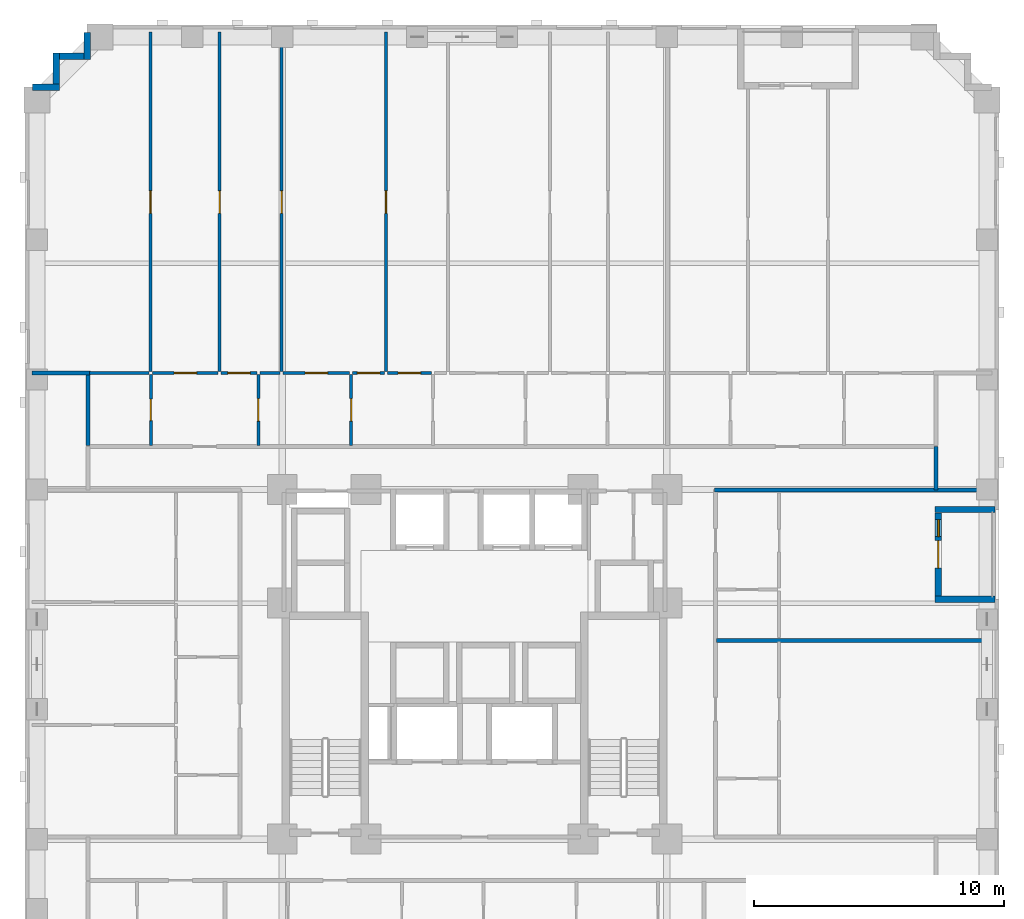
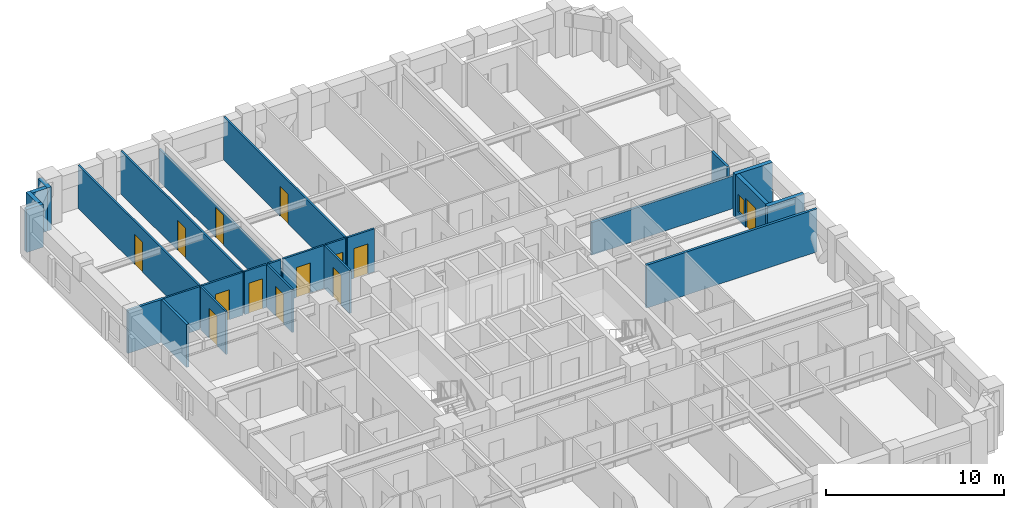
# One storey, part 7 of 14: 26 walls, 13 doors, 1 window, 14 openings.
"""IFC4 building model written with IfcOpenShell, lengths in metres."""

from ifc_helpers import new_model, si_unit, derived_unit, direction, frame, frame_2d, origin, place, context, subcontext, project, spatial, rectangle, extrude, material, layer, layer_set, type_object, element, fill, save


model = new_model("IFC4")

# Units and contexts
model_context = context("Model", 3, precision=1e-05, world=origin(), true_north=direction((0.0, 1.0)))
body_context = subcontext(model_context, "Body", "Model", "MODEL_VIEW")
ifc_project = project(units=[si_unit("LENGTHUNIT", "METRE"), si_unit("AREAUNIT", "SQUARE_METRE"), si_unit("VOLUMEUNIT", "CUBIC_METRE"), si_unit("PLANEANGLEUNIT", "RADIAN"), si_unit("MASSUNIT", "GRAM", prefix="KILO"), derived_unit("THERMALTRANSMITTANCEUNIT", [(si_unit("MASSUNIT", "GRAM", prefix="KILO"), 1), (si_unit("TIMEUNIT", "SECOND"), -3), (si_unit("THERMODYNAMICTEMPERATUREUNIT", "KELVIN"), -1)])], contexts=[model_context])

# Site, building, storey
site_placement = place(None, origin())
site = spatial("IfcSite", under=ifc_project, at=site_placement, CompositionType="ELEMENT")
building_placement = place(site_placement, origin())
building = spatial("IfcBuilding", under=site, at=building_placement, Name="Korrvale Station Residences", CompositionType="ELEMENT")
storey_placement = place(building_placement, frame((0.0, 0.0, 51.39990234375)))
storey = spatial("IfcBuildingStorey", under=building, at=storey_placement, Name="L13", CompositionType="ELEMENT", Elevation=51.39990234375)

# Wall
ifc_material_1 = material(Name="Precast concrete C45/55", Category="concrete")
ifc_layer_1 = layer(ifc_material_1, 0.260009765625, Name="Precast concrete C45/55")
ifc_layer_set_1 = layer_set([ifc_layer_1], Name="Precast concrete C45/55")
wall_type_1 = type_object("IfcWallType", Name="WAL-EXT-LOG260", PredefinedType="SOLIDWALL", material=ifc_layer_set_1)
wall_1_placement = place(storey_placement, frame((46.340087890625, 28.199951171875, 0.0), z_axis=(0.0, 0.0, 1.0), x_axis=(-1.0, 0.0, 0.0)))
element("IfcWall", 1, at=wall_1_placement, inside=storey, type_object=wall_type_1, Name="L13 Recessed Loggia Wall BAL-L13-E1-L", PredefinedType="SOLIDWALL", context=body_context, shape_type="SweptSolid", body=[
    extrude(rectangle(XDim=2.400146484375, YDim=0.260009765625, at=frame_2d((1.2001953125, 0.0))), origin(), (0.0, 0.0, 1.0), 2.940185546875),
])

# Wall, openings, door, window
wall_2_placement = place(storey_placement, frame((44.070068359375, 28.06591796875, 0.0), z_axis=(0.0, 0.0, 1.0), x_axis=(0.0, -1.0, 0.0)))
wall_2 = element("IfcWall", 2, at=wall_2_placement, inside=storey, type_object=wall_type_1, Name="L13 Recessed Loggia Wall BAL-L13-E1-B", PredefinedType="SOLIDWALL", context=body_context, shape_type="SweptSolid", body=[
    extrude(rectangle(XDim=3.33203125, YDim=0.260009765625, at=frame_2d((1.666015625, 0.0))), origin(), (0.0, 0.0, 1.0), 2.940185546875),
])
opening_1_placement = place(wall_2_placement, frame((1.115966796875, 0.0, 0.0)))
opening_1 = element("IfcOpeningElement", 3, at=opening_1_placement, cuts=wall_2, Name="Opening BD-01", PredefinedType="OPENING", context=body_context, shape_type="SweptSolid", body=[
    extrude(rectangle(XDim=1.10009765625, YDim=2.0, at=frame_2d((0.550048828125, 1.0))), frame((0.0, 0.14013671875, 0.0), z_axis=(0.0, -1.0, 0.0), x_axis=(1.0, 0.0, 0.0)), (0.0, 0.0, 1.0), 0.280029296875),
])
opening_2_placement = place(wall_2_placement, frame((0.27587890625, 0.0, 0.550048828125)))
opening_2 = element("IfcOpeningElement", 4, at=opening_2_placement, cuts=wall_2, Name="Opening W-12", PredefinedType="OPENING", context=body_context, shape_type="SweptSolid", body=[
    extrude(rectangle(XDim=0.679931640625, YDim=1.199951171875, at=frame_2d((0.33984375, 0.60009765625))), frame((0.0, 0.14013671875, 0.0), z_axis=(0.0, -1.0, 0.0), x_axis=(1.0, 0.0, 0.0)), (0.0, 0.0, 1.0), 0.280029296875),
])
ifc_material_2 = material(Name="Exterior thermally broken aluminium glazed balcony door", Category="aluminium")
door_type_1 = type_object("IfcDoorType", Name="DR-EXT-BAL", OperationType="NOTDEFINED", PredefinedType="DOOR", material=ifc_material_2)
door_1_placement = place(opening_1_placement, origin())
door_1 = element("IfcDoor", 5, at=door_1_placement, inside=storey, type_object=door_type_1, Name="L13 Loggia Balcony Door BAL-L13-E1", OperationType="SINGLE_SWING_RIGHT", OverallHeight=2.0, OverallWidth=1.10009765625, PredefinedType="DOOR", context=body_context, shape_type="SweptSolid", body=[
    extrude(rectangle(XDim=1.10009765625, YDim=2.0, at=frame_2d((0.550048828125, 1.0))), frame((0.0, 0.02490234375, 0.0), z_axis=(0.0, -1.0, 0.0), x_axis=(1.0, 0.0, 0.0)), (0.0, 0.0, 1.0), 0.050048828125),
])
fill(opening_1, door_1)
ifc_material_3 = material(Name="Thermally broken aluminium frame with triple low-e glazing", Category="aluminium")
window_type = type_object("IfcWindowType", Name="WIN-W12", PartitioningType="SINGLE_PANEL", PredefinedType="WINDOW", material=ifc_material_3)
window_placement = place(opening_2_placement, origin())
window = element("IfcWindow", 6, at=window_placement, inside=storey, type_object=window_type, Name="L13 Punched Window 25", OverallHeight=1.199951171875, OverallWidth=0.679931640625, PartitioningType="SINGLE_PANEL", PredefinedType="WINDOW", context=body_context, shape_type="SweptSolid", body=[
    extrude(rectangle(XDim=0.679931640625, YDim=1.199951171875, at=frame_2d((0.33984375, 0.60009765625))), frame((0.0, 0.030029296875, 0.0), z_axis=(0.0, -1.0, 0.0), x_axis=(1.0, 0.0, 0.0)), (0.0, 0.0, 1.0), 0.06005859375),
])
fill(opening_2, window)

# Walls
wall_3_placement = place(storey_placement, frame((43.93994140625, 24.60009765625, 0.0), z_axis=(0.0, 0.0, 1.0), x_axis=(1.0, 0.0, 0.0)))
element("IfcWall", 7, at=wall_3_placement, inside=storey, type_object=wall_type_1, Name="L13 Recessed Loggia Wall BAL-L13-E1-R", PredefinedType="SOLIDWALL", context=body_context, shape_type="SweptSolid", body=[
    extrude(rectangle(XDim=2.400146484375, YDim=0.260009765625, at=frame_2d((1.2001953125, 0.0))), origin(), (0.0, 0.0, 1.0), 2.940185546875),
])
wall_4_placement = place(storey_placement, frame((7.802001953125, 45.10009765625, 0.0), z_axis=(0.0, 0.0, 1.0), x_axis=(1.0, 0.0, 0.0)))
element("IfcWall", 8, at=wall_4_placement, inside=storey, type_object=wall_type_1, Name="L13 Serrated Corner Precast Step NW-1", PredefinedType="SOLIDWALL", context=body_context, shape_type="SweptSolid", body=[
    extrude(rectangle(XDim=1.077880859375, YDim=0.260009765625, at=frame_2d((0.5390625, 0.0))), origin(), (0.0, 0.0, 1.0), 2.940185546875),
])
wall_5_placement = place(storey_placement, frame((8.75, 45.23193359375, 0.0), z_axis=(0.0, 0.0, 1.0), x_axis=(0.0, 1.0, 0.0)))
element("IfcWall", 9, at=wall_5_placement, inside=storey, type_object=wall_type_1, Name="L13 Serrated Corner Precast Step NW-2", PredefinedType="SOLIDWALL", context=body_context, shape_type="SweptSolid", body=[
    extrude(rectangle(XDim=1.248046875, YDim=0.260009765625, at=frame_2d((0.6240234375, 0.0))), origin(), (0.0, 0.0, 1.0), 2.940185546875),
])
wall_6_placement = place(storey_placement, frame((8.882080078125, 46.35009765625, 0.0), z_axis=(0.0, 0.0, 1.0), x_axis=(1.0, 0.0, 0.0)))
element("IfcWall", 10, at=wall_6_placement, inside=storey, type_object=wall_type_1, Name="L13 Serrated Corner Precast Step NW-3", PredefinedType="SOLIDWALL", context=body_context, shape_type="SweptSolid", body=[
    extrude(rectangle(XDim=0.98583984375, YDim=0.260009765625, at=frame_2d((0.492919921875, 0.0))), origin(), (0.0, 0.0, 1.0), 2.940185546875),
])
wall_7_placement = place(storey_placement, frame((10.0, 46.219970703125, 0.0), z_axis=(0.0, 0.0, 1.0), x_axis=(0.0, 1.0, 0.0)))
element("IfcWall", 11, at=wall_7_placement, inside=storey, type_object=wall_type_1, Name="L13 Serrated Corner Precast Step NW-4", PredefinedType="SOLIDWALL", context=body_context, shape_type="SweptSolid", body=[
    extrude(rectangle(XDim=1.078125, YDim=0.260009765625, at=frame_2d((0.5390625, 0.0))), origin(), (0.0, 0.0, 1.0), 2.940185546875),
])

# Wall, opening, door
ifc_material_4 = material(Name="Acoustic steel-stud gypsum board partition", Category="steel")
ifc_layer_2 = layer(ifc_material_4, 0.1201171875, Name="Acoustic steel-stud gypsum board partition")
ifc_layer_set_2 = layer_set([ifc_layer_2], Name="Acoustic steel-stud gypsum board partition")
wall_type_2 = type_object("IfcWallType", Name="WAL-PART-125", PredefinedType="PARTITIONING", material=ifc_layer_set_2)
wall_8_placement = place(storey_placement, frame((12.5400390625, 30.760009765625, 0.0), z_axis=(0.0, 0.0, 1.0), x_axis=(0.0, 1.0, 0.0)))
wall_8 = element("IfcWall", 12, at=wall_8_placement, inside=storey, type_object=wall_type_2, Name="L13 Suite Partition U04-V01", PredefinedType="PARTITIONING", context=body_context, shape_type="SweptSolid", body=[
    extrude(rectangle(XDim=2.85009765625, YDim=0.1201171875, at=frame_2d((1.425048828125, 0.0))), origin(), (0.0, 0.0, 1.0), 2.940185546875),
])
opening_3_placement = place(wall_8_placement, frame((0.9951171875, 0.0, 0.0)))
opening_3 = element("IfcOpeningElement", 13, at=opening_3_placement, cuts=wall_8, Name="Opening DB-860", PredefinedType="OPENING", context=body_context, shape_type="SweptSolid", body=[
    extrude(rectangle(XDim=0.860107421875, YDim=2.050048828125, at=frame_2d((0.43017578125, 1.02490234375))), frame((0.0, 0.070068359375, 0.0), z_axis=(0.0, -1.0, 0.0), x_axis=(1.0, 0.0, 0.0)), (0.0, 0.0, 1.0), 0.14013671875),
])
ifc_material_5 = material(Name="Moisture-resistant solid-core bathroom door", Category="timber")
door_type_2 = type_object("IfcDoorType", Name="DR-BATH-860", OperationType="NOTDEFINED", PredefinedType="DOOR", material=ifc_material_5)
door_2_placement = place(opening_3_placement, origin())
door_2 = element("IfcDoor", 14, at=door_2_placement, inside=storey, type_object=door_type_2, Name="L13 Apartment 2BR L13-U04 Bathroom Door", OperationType="SINGLE_SWING_RIGHT", OverallHeight=2.050048828125, OverallWidth=0.860107421875, PredefinedType="DOOR", context=body_context, shape_type="SweptSolid", body=[
    extrude(rectangle(XDim=0.860107421875, YDim=2.050048828125, at=frame_2d((0.43017578125, 1.02490234375))), frame((0.0, 0.02490234375, 0.0), z_axis=(0.0, -1.0, 0.0), x_axis=(1.0, 0.0, 0.0)), (0.0, 0.0, 1.0), 0.050048828125),
])
fill(opening_3, door_2)

# Wall
wall_9_placement = place(storey_placement, frame((10.080078125, 33.669921875, 0.0), z_axis=(0.0, 0.0, 1.0), x_axis=(1.0, 0.0, 0.0)))
element("IfcWall", 15, at=wall_9_placement, inside=storey, type_object=wall_type_2, Name="L13 Suite Partition U04-H07", PredefinedType="PARTITIONING", context=body_context, shape_type="SweptSolid", body=[
    extrude(rectangle(XDim=2.3818359375, YDim=0.1201171875, at=frame_2d((1.19091796875, 0.0))), origin(), (0.0, 0.0, 1.0), 2.940185546875),
])

# Wall, opening, door
wall_10_placement = place(storey_placement, frame((16.840087890625, 30.760009765625, 0.0), z_axis=(0.0, 0.0, 1.0), x_axis=(0.0, 1.0, 0.0)))
wall_10 = element("IfcWall", 16, at=wall_10_placement, inside=storey, type_object=wall_type_2, Name="L13 Suite Partition U04-V12", PredefinedType="PARTITIONING", context=body_context, shape_type="SweptSolid", body=[
    extrude(rectangle(XDim=2.85009765625, YDim=0.1201171875, at=frame_2d((1.425048828125, 0.0))), origin(), (0.0, 0.0, 1.0), 2.940185546875),
])
opening_4_placement = place(wall_10_placement, frame((0.97509765625, 0.0, 0.0)))
opening_4 = element("IfcOpeningElement", 17, at=opening_4_placement, cuts=wall_10, Name="Opening DI-900", PredefinedType="OPENING", context=body_context, shape_type="SweptSolid", body=[
    extrude(rectangle(XDim=0.89990234375, YDim=2.050048828125, at=frame_2d((0.449951171875, 1.02490234375))), frame((0.0, 0.070068359375, 0.0), z_axis=(0.0, -1.0, 0.0), x_axis=(1.0, 0.0, 0.0)), (0.0, 0.0, 1.0), 0.14013671875),
])
ifc_material_6 = material(Name="Painted solid-core timber interior room door", Category="wood")
door_type_3 = type_object("IfcDoorType", Name="DR-INT-900", OperationType="NOTDEFINED", PredefinedType="DOOR", material=ifc_material_6)
door_3_placement = place(opening_4_placement, origin())
door_3 = element("IfcDoor", 18, at=door_3_placement, inside=storey, type_object=door_type_3, Name="L13 Apartment 2BR L13-U04 Kitchen Door", OperationType="SINGLE_SWING_LEFT", OverallHeight=2.050048828125, OverallWidth=0.89990234375, PredefinedType="DOOR", context=body_context, shape_type="SweptSolid", body=[
    extrude(rectangle(XDim=0.89990234375, YDim=2.050048828125, at=frame_2d((0.449951171875, 1.02490234375))), frame((0.0, 0.02490234375, 0.0), z_axis=(0.0, -1.0, 0.0), x_axis=(1.0, 0.0, 0.0)), (0.0, 0.0, 1.0), 0.050048828125),
])
fill(opening_4, door_3)

wall_11_placement = place(storey_placement, frame((12.60009765625, 33.669921875, 0.0), z_axis=(0.0, 0.0, 1.0), x_axis=(1.0, 0.0, 0.0)))
wall_11 = element("IfcWall", 19, at=wall_11_placement, inside=storey, type_object=wall_type_2, Name="L13 Suite Partition U04-H18", PredefinedType="PARTITIONING", context=body_context, shape_type="SweptSolid", body=[
    extrude(rectangle(XDim=2.636962890625, YDim=0.1201171875, at=frame_2d((1.318359375, 0.0))), origin(), (0.0, 0.0, 1.0), 2.940185546875),
])
opening_5_placement = place(wall_11_placement, frame((0.867919921875, 0.0, 0.0)))
opening_5 = element("IfcOpeningElement", 20, at=opening_5_placement, cuts=wall_11, Name="Opening DI-900", PredefinedType="OPENING", context=body_context, shape_type="SweptSolid", body=[
    extrude(rectangle(XDim=0.89990234375, YDim=2.050048828125, at=frame_2d((0.449951171875, 1.02490234375))), frame((0.0, 0.070068359375, 0.0), z_axis=(0.0, -1.0, 0.0), x_axis=(1.0, 0.0, 0.0)), (0.0, 0.0, 1.0), 0.14013671875),
])
door_4_placement = place(opening_5_placement, origin())
door_4 = element("IfcDoor", 21, at=door_4_placement, inside=storey, type_object=door_type_3, Name="L13 Apartment 2BR L13-U04 Kitchen Door", OperationType="SINGLE_SWING_RIGHT", OverallHeight=2.050048828125, OverallWidth=0.89990234375, PredefinedType="DOOR", context=body_context, shape_type="SweptSolid", body=[
    extrude(rectangle(XDim=0.89990234375, YDim=2.050048828125, at=frame_2d((0.449951171875, 1.02490234375))), frame((0.0, 0.02490234375, 0.0), z_axis=(0.0, -1.0, 0.0), x_axis=(1.0, 0.0, 0.0)), (0.0, 0.0, 1.0), 0.050048828125),
])
fill(opening_5, door_4)

wall_12_placement = place(storey_placement, frame((15.35693359375, 33.669921875, 0.0), z_axis=(0.0, 0.0, 1.0), x_axis=(1.0, 0.0, 0.0)))
wall_12 = element("IfcWall", 22, at=wall_12_placement, inside=storey, type_object=wall_type_2, Name="L13 Suite Partition U04-H19", PredefinedType="PARTITIONING", context=body_context, shape_type="SweptSolid", body=[
    extrude(rectangle(XDim=1.423095703125, YDim=0.1201171875, at=frame_2d((0.71142578125, 0.0))), origin(), (0.0, 0.0, 1.0), 2.940185546875),
])
opening_6_placement = place(wall_12_placement, frame((0.261962890625, 0.0, 0.0)))
opening_6 = element("IfcOpeningElement", 23, at=opening_6_placement, cuts=wall_12, Name="Opening DI-900", PredefinedType="OPENING", context=body_context, shape_type="SweptSolid", body=[
    extrude(rectangle(XDim=0.89990234375, YDim=2.050048828125, at=frame_2d((0.449951171875, 1.02490234375))), frame((0.0, 0.070068359375, 0.0), z_axis=(0.0, -1.0, 0.0), x_axis=(1.0, 0.0, 0.0)), (0.0, 0.0, 1.0), 0.14013671875),
])
door_5_placement = place(opening_6_placement, origin())
door_5 = element("IfcDoor", 24, at=door_5_placement, inside=storey, type_object=door_type_3, Name="L13 Apartment 2BR L13-U04 Kitchen Door", OperationType="SINGLE_SWING_LEFT", OverallHeight=2.050048828125, OverallWidth=0.89990234375, PredefinedType="DOOR", context=body_context, shape_type="SweptSolid", body=[
    extrude(rectangle(XDim=0.89990234375, YDim=2.050048828125, at=frame_2d((0.449951171875, 1.02490234375))), frame((0.0, 0.02490234375, 0.0), z_axis=(0.0, -1.0, 0.0), x_axis=(1.0, 0.0, 0.0)), (0.0, 0.0, 1.0), 0.050048828125),
])
fill(opening_6, door_5)

wall_13_placement = place(storey_placement, frame((20.56005859375, 30.760009765625, 0.0), z_axis=(0.0, 0.0, 1.0), x_axis=(0.0, 1.0, 0.0)))
wall_13 = element("IfcWall", 25, at=wall_13_placement, inside=storey, type_object=wall_type_2, Name="L13 Suite Partition U04-V23", PredefinedType="PARTITIONING", context=body_context, shape_type="SweptSolid", body=[
    extrude(rectangle(XDim=2.85009765625, YDim=0.1201171875, at=frame_2d((1.425048828125, 0.0))), origin(), (0.0, 0.0, 1.0), 2.940185546875),
])
opening_7_placement = place(wall_13_placement, frame((0.97509765625, 0.0, 0.0)))
opening_7 = element("IfcOpeningElement", 26, at=opening_7_placement, cuts=wall_13, Name="Opening DI-900", PredefinedType="OPENING", context=body_context, shape_type="SweptSolid", body=[
    extrude(rectangle(XDim=0.89990234375, YDim=2.050048828125, at=frame_2d((0.449951171875, 1.02490234375))), frame((0.0, 0.070068359375, 0.0), z_axis=(0.0, -1.0, 0.0), x_axis=(1.0, 0.0, 0.0)), (0.0, 0.0, 1.0), 0.14013671875),
])
door_6_placement = place(opening_7_placement, origin())
door_6 = element("IfcDoor", 27, at=door_6_placement, inside=storey, type_object=door_type_3, Name="L13 Apartment 2BR L13-U04 Utility and Laundry Room Door", OperationType="SINGLE_SWING_RIGHT", OverallHeight=2.050048828125, OverallWidth=0.89990234375, PredefinedType="DOOR", context=body_context, shape_type="SweptSolid", body=[
    extrude(rectangle(XDim=0.89990234375, YDim=2.050048828125, at=frame_2d((0.449951171875, 1.02490234375))), frame((0.0, 0.02490234375, 0.0), z_axis=(0.0, -1.0, 0.0), x_axis=(1.0, 0.0, 0.0)), (0.0, 0.0, 1.0), 0.050048828125),
])
fill(opening_7, door_6)

# Wall
wall_14_placement = place(storey_placement, frame((16.89990234375, 33.669921875, 0.0), z_axis=(0.0, 0.0, 1.0), x_axis=(1.0, 0.0, 0.0)))
element("IfcWall", 28, at=wall_14_placement, inside=storey, type_object=wall_type_2, Name="L13 Suite Partition U04-H29", PredefinedType="PARTITIONING", context=body_context, shape_type="SweptSolid", body=[
    extrude(rectangle(XDim=0.817138671875, YDim=0.1201171875, at=frame_2d((0.40869140625, 0.0))), origin(), (0.0, 0.0, 1.0), 2.940185546875),
])

# Wall, opening, door
wall_15_placement = place(storey_placement, frame((17.8369140625, 33.669921875, 0.0), z_axis=(0.0, 0.0, 1.0), x_axis=(1.0, 0.0, 0.0)))
wall_15 = element("IfcWall", 29, at=wall_15_placement, inside=storey, type_object=wall_type_2, Name="L13 Suite Partition U04-H210", PredefinedType="PARTITIONING", context=body_context, shape_type="SweptSolid", body=[
    extrude(rectangle(XDim=2.6630859375, YDim=0.1201171875, at=frame_2d((1.33154296875, 0.0))), origin(), (0.0, 0.0, 1.0), 2.940185546875),
])
opening_8_placement = place(wall_15_placement, frame((0.882080078125, 0.0, 0.0)))
opening_8 = element("IfcOpeningElement", 30, at=opening_8_placement, cuts=wall_15, Name="Opening DI-900", PredefinedType="OPENING", context=body_context, shape_type="SweptSolid", body=[
    extrude(rectangle(XDim=0.89990234375, YDim=2.050048828125, at=frame_2d((0.449951171875, 1.02490234375))), frame((0.0, 0.070068359375, 0.0), z_axis=(0.0, -1.0, 0.0), x_axis=(1.0, 0.0, 0.0)), (0.0, 0.0, 1.0), 0.14013671875),
])
door_7_placement = place(opening_8_placement, origin())
door_7 = element("IfcDoor", 31, at=door_7_placement, inside=storey, type_object=door_type_3, Name="L13 Apartment 2BR L13-U04 Utility and Laundry Room Door", OperationType="SINGLE_SWING_LEFT", OverallHeight=2.050048828125, OverallWidth=0.89990234375, PredefinedType="DOOR", context=body_context, shape_type="SweptSolid", body=[
    extrude(rectangle(XDim=0.89990234375, YDim=2.050048828125, at=frame_2d((0.449951171875, 1.02490234375))), frame((0.0, 0.02490234375, 0.0), z_axis=(0.0, -1.0, 0.0), x_axis=(1.0, 0.0, 0.0)), (0.0, 0.0, 1.0), 0.050048828125),
])
fill(opening_8, door_7)

wall_16_placement = place(storey_placement, frame((20.6201171875, 33.669921875, 0.0), z_axis=(0.0, 0.0, 1.0), x_axis=(1.0, 0.0, 0.0)))
wall_16 = element("IfcWall", 32, at=wall_16_placement, inside=storey, type_object=wall_type_2, Name="L13 Suite Partition U04-H310", PredefinedType="PARTITIONING", context=body_context, shape_type="SweptSolid", body=[
    extrude(rectangle(XDim=1.27294921875, YDim=0.1201171875, at=frame_2d((0.636474609375, 0.0))), origin(), (0.0, 0.0, 1.0), 2.940185546875),
])
opening_9_placement = place(wall_16_placement, frame((0.18603515625, 0.0, 0.0)))
opening_9 = element("IfcOpeningElement", 33, at=opening_9_placement, cuts=wall_16, Name="Opening DI-900", PredefinedType="OPENING", context=body_context, shape_type="SweptSolid", body=[
    extrude(rectangle(XDim=0.89990234375, YDim=2.050048828125, at=frame_2d((0.449951171875, 1.02490234375))), frame((0.0, 0.070068359375, 0.0), z_axis=(0.0, -1.0, 0.0), x_axis=(1.0, 0.0, 0.0)), (0.0, 0.0, 1.0), 0.14013671875),
])
door_8_placement = place(opening_9_placement, origin())
door_8 = element("IfcDoor", 34, at=door_8_placement, inside=storey, type_object=door_type_3, Name="L13 Apartment 2BR L13-U04 Storage Closet 2 Door", OperationType="SINGLE_SWING_LEFT", OverallHeight=2.050048828125, OverallWidth=0.89990234375, PredefinedType="DOOR", context=body_context, shape_type="SweptSolid", body=[
    extrude(rectangle(XDim=0.89990234375, YDim=2.050048828125, at=frame_2d((0.449951171875, 1.02490234375))), frame((0.0, 0.02490234375, 0.0), z_axis=(0.0, -1.0, 0.0), x_axis=(1.0, 0.0, 0.0)), (0.0, 0.0, 1.0), 0.050048828125),
])
fill(opening_9, door_8)

wall_17_placement = place(storey_placement, frame((22.012939453125, 33.669921875, 0.0), z_axis=(0.0, 0.0, 1.0), x_axis=(1.0, 0.0, 0.0)))
wall_17 = element("IfcWall", 35, at=wall_17_placement, inside=storey, type_object=wall_type_2, Name="L13 Suite Partition U04-H311", PredefinedType="PARTITIONING", context=body_context, shape_type="SweptSolid", body=[
    extrude(rectangle(XDim=1.757080078125, YDim=0.1201171875, at=frame_2d((0.87841796875, 0.0))), origin(), (0.0, 0.0, 1.0), 2.940185546875),
])
opening_10_placement = place(wall_17_placement, frame((0.427978515625, 0.0, 0.0)))
opening_10 = element("IfcOpeningElement", 36, at=opening_10_placement, cuts=wall_17, Name="Opening DI-900", PredefinedType="OPENING", context=body_context, shape_type="SweptSolid", body=[
    extrude(rectangle(XDim=0.89990234375, YDim=2.050048828125, at=frame_2d((0.449951171875, 1.02490234375))), frame((0.0, 0.070068359375, 0.0), z_axis=(0.0, -1.0, 0.0), x_axis=(1.0, 0.0, 0.0)), (0.0, 0.0, 1.0), 0.14013671875),
])
door_9_placement = place(opening_10_placement, origin())
door_9 = element("IfcDoor", 37, at=door_9_placement, inside=storey, type_object=door_type_3, Name="L13 Apartment 2BR L13-U04 Storage Closet 2 Door", OperationType="SINGLE_SWING_RIGHT", OverallHeight=2.050048828125, OverallWidth=0.89990234375, PredefinedType="DOOR", context=body_context, shape_type="SweptSolid", body=[
    extrude(rectangle(XDim=0.89990234375, YDim=2.050048828125, at=frame_2d((0.449951171875, 1.02490234375))), frame((0.0, 0.02490234375, 0.0), z_axis=(0.0, -1.0, 0.0), x_axis=(1.0, 0.0, 0.0)), (0.0, 0.0, 1.0), 0.050048828125),
])
fill(opening_10, door_9)

wall_18_placement = place(storey_placement, frame((12.52197265625, 33.72998046875, 0.0), z_axis=(0.0, 0.0, 1.0), x_axis=(0.0, 1.0, 0.0)))
wall_18 = element("IfcWall", 38, at=wall_18_placement, inside=storey, type_object=wall_type_2, Name="L13 Suite Partition U04-V78", PredefinedType="PARTITIONING", context=body_context, shape_type="SweptSolid", body=[
    extrude(rectangle(XDim=13.590087890625, YDim=0.1201171875, at=frame_2d((6.794921875, 0.0))), origin(), (0.0, 0.0, 1.0), 2.940185546875),
])
opening_11_placement = place(wall_18_placement, frame((6.330078125, 0.0, 0.0)))
opening_11 = element("IfcOpeningElement", 39, at=opening_11_placement, cuts=wall_18, Name="Opening DI-900", PredefinedType="OPENING", context=body_context, shape_type="SweptSolid", body=[
    extrude(rectangle(XDim=0.89990234375, YDim=2.050048828125, at=frame_2d((0.449951171875, 1.02490234375))), frame((0.0, 0.070068359375, 0.0), z_axis=(0.0, -1.0, 0.0), x_axis=(1.0, 0.0, 0.0)), (0.0, 0.0, 1.0), 0.14013671875),
])
door_10_placement = place(opening_11_placement, origin())
door_10 = element("IfcDoor", 40, at=door_10_placement, inside=storey, type_object=door_type_3, Name="L13 Apartment 2BR L13-U04 Living and Dining Room Door", OperationType="SINGLE_SWING_RIGHT", OverallHeight=2.050048828125, OverallWidth=0.89990234375, PredefinedType="DOOR", context=body_context, shape_type="SweptSolid", body=[
    extrude(rectangle(XDim=0.89990234375, YDim=2.050048828125, at=frame_2d((0.449951171875, 1.02490234375))), frame((0.0, 0.02490234375, 0.0), z_axis=(0.0, -1.0, 0.0), x_axis=(1.0, 0.0, 0.0)), (0.0, 0.0, 1.0), 0.050048828125),
])
fill(opening_11, door_10)

wall_19_placement = place(storey_placement, frame((15.297119140625, 33.72998046875, 0.0), z_axis=(0.0, 0.0, 1.0), x_axis=(0.0, 1.0, 0.0)))
wall_19 = element("IfcWall", 41, at=wall_19_placement, inside=storey, type_object=wall_type_2, Name="L13 Suite Partition U04-V89", PredefinedType="PARTITIONING", context=body_context, shape_type="SweptSolid", body=[
    extrude(rectangle(XDim=13.590087890625, YDim=0.1201171875, at=frame_2d((6.794921875, 0.0))), origin(), (0.0, 0.0, 1.0), 2.940185546875),
])
opening_12_placement = place(wall_19_placement, frame((6.330078125, 0.0, 0.0)))
opening_12 = element("IfcOpeningElement", 42, at=opening_12_placement, cuts=wall_19, Name="Opening DI-900", PredefinedType="OPENING", context=body_context, shape_type="SweptSolid", body=[
    extrude(rectangle(XDim=0.89990234375, YDim=2.050048828125, at=frame_2d((0.449951171875, 1.02490234375))), frame((0.0, 0.070068359375, 0.0), z_axis=(0.0, -1.0, 0.0), x_axis=(1.0, 0.0, 0.0)), (0.0, 0.0, 1.0), 0.14013671875),
])
door_11_placement = place(opening_12_placement, origin())
door_11 = element("IfcDoor", 43, at=door_11_placement, inside=storey, type_object=door_type_3, Name="L13 Apartment 2BR L13-U04 Wardrobe Storage Room Door", OperationType="SINGLE_SWING_LEFT", OverallHeight=2.050048828125, OverallWidth=0.89990234375, PredefinedType="DOOR", context=body_context, shape_type="SweptSolid", body=[
    extrude(rectangle(XDim=0.89990234375, YDim=2.050048828125, at=frame_2d((0.449951171875, 1.02490234375))), frame((0.0, 0.02490234375, 0.0), z_axis=(0.0, -1.0, 0.0), x_axis=(1.0, 0.0, 0.0)), (0.0, 0.0, 1.0), 0.050048828125),
])
fill(opening_12, door_11)

wall_20_placement = place(storey_placement, frame((17.777099609375, 33.72998046875, 0.0), z_axis=(0.0, 0.0, 1.0), x_axis=(0.0, 1.0, 0.0)))
wall_20 = element("IfcWall", 44, at=wall_20_placement, inside=storey, type_object=wall_type_2, Name="L13 Suite Partition U04-V910", PredefinedType="PARTITIONING", context=body_context, shape_type="SweptSolid", body=[
    extrude(rectangle(XDim=13.590087890625, YDim=0.1201171875, at=frame_2d((6.794921875, 0.0))), origin(), (0.0, 0.0, 1.0), 2.232177734375),
])
opening_13_placement = place(wall_20_placement, frame((6.330078125, 0.0, 0.0)))
opening_13 = element("IfcOpeningElement", 45, at=opening_13_placement, cuts=wall_20, Name="Opening DI-900", PredefinedType="OPENING", context=body_context, shape_type="SweptSolid", body=[
    extrude(rectangle(XDim=0.89990234375, YDim=2.050048828125, at=frame_2d((0.449951171875, 1.02490234375))), frame((0.0, 0.070068359375, 0.0), z_axis=(0.0, -1.0, 0.0), x_axis=(1.0, 0.0, 0.0)), (0.0, 0.0, 1.0), 0.14013671875),
])
door_12_placement = place(opening_13_placement, origin())
door_12 = element("IfcDoor", 46, at=door_12_placement, inside=storey, type_object=door_type_3, Name="L13 Apartment 2BR L13-U04 Home Study Room Door", OperationType="SINGLE_SWING_RIGHT", OverallHeight=2.050048828125, OverallWidth=0.89990234375, PredefinedType="DOOR", context=body_context, shape_type="SweptSolid", body=[
    extrude(rectangle(XDim=0.89990234375, YDim=2.050048828125, at=frame_2d((0.449951171875, 1.02490234375))), frame((0.0, 0.02490234375, 0.0), z_axis=(0.0, -1.0, 0.0), x_axis=(1.0, 0.0, 0.0)), (0.0, 0.0, 1.0), 0.050048828125),
])
fill(opening_13, door_12)

wall_21_placement = place(storey_placement, frame((21.952880859375, 33.72998046875, 0.0), z_axis=(0.0, 0.0, 1.0), x_axis=(0.0, 1.0, 0.0)))
wall_21 = element("IfcWall", 47, at=wall_21_placement, inside=storey, type_object=wall_type_2, Name="L13 Suite Partition U04-V1011", PredefinedType="PARTITIONING", context=body_context, shape_type="SweptSolid", body=[
    extrude(rectangle(XDim=13.590087890625, YDim=0.1201171875, at=frame_2d((6.794921875, 0.0))), origin(), (0.0, 0.0, 1.0), 2.940185546875),
])
opening_14_placement = place(wall_21_placement, frame((6.330078125, 0.0, 0.0)))
opening_14 = element("IfcOpeningElement", 48, at=opening_14_placement, cuts=wall_21, Name="Opening DI-900", PredefinedType="OPENING", context=body_context, shape_type="SweptSolid", body=[
    extrude(rectangle(XDim=0.89990234375, YDim=2.050048828125, at=frame_2d((0.449951171875, 1.02490234375))), frame((0.0, 0.070068359375, 0.0), z_axis=(0.0, -1.0, 0.0), x_axis=(1.0, 0.0, 0.0)), (0.0, 0.0, 1.0), 0.14013671875),
])
door_13_placement = place(opening_14_placement, origin())
door_13 = element("IfcDoor", 49, at=door_13_placement, inside=storey, type_object=door_type_3, Name="L13 Apartment 2BR L13-U04 Family Lounge Room Door", OperationType="SINGLE_SWING_LEFT", OverallHeight=2.050048828125, OverallWidth=0.89990234375, PredefinedType="DOOR", context=body_context, shape_type="SweptSolid", body=[
    extrude(rectangle(XDim=0.89990234375, YDim=2.050048828125, at=frame_2d((0.449951171875, 1.02490234375))), frame((0.0, 0.02490234375, 0.0), z_axis=(0.0, -1.0, 0.0), x_axis=(1.0, 0.0, 0.0)), (0.0, 0.0, 1.0), 0.050048828125),
])
fill(opening_14, door_13)

# Walls
ifc_material_7 = material(Name="Fire-rated twin-stud gypsum and mineral wool shaftwall assembly", Category="gypsum")
ifc_layer_3 = layer(ifc_material_7, 0.159912109375, Name="Fire-rated twin-stud gypsum and mineral wool shaftwall assembly")
ifc_layer_set_3 = layer_set([ifc_layer_3], Name="Fire-rated twin-stud gypsum and mineral wool shaftwall assembly")
wall_type_3 = type_object("IfcWallType", Name="WAL-PART-200", PredefinedType="PARTITIONING", material=ifc_layer_set_3)
wall_22_placement = place(storey_placement, frame((43.97998046875, 28.97998046875, 0.0), z_axis=(0.0, 0.0, 1.0), x_axis=(0.0, 1.0, 0.0)))
element("IfcWall", 50, at=wall_22_placement, inside=storey, type_object=wall_type_3, Name="L13 Corridor North East Cap", PredefinedType="PARTITIONING", context=body_context, shape_type="SweptSolid", body=[
    extrude(rectangle(XDim=1.739990234375, YDim=0.159912109375, at=frame_2d((0.8701171875, 0.0))), origin(), (0.0, 0.0, 1.0), 2.940185546875),
])
wall_23_placement = place(storey_placement, frame((35.110107421875, 28.97998046875, 0.0), z_axis=(0.0, 0.0, 1.0), x_axis=(1.0, 0.0, 0.0)))
element("IfcWall", 51, at=wall_23_placement, inside=storey, type_object=wall_type_3, Name="L13 East Wing North Corridor Wall", PredefinedType="PARTITIONING", context=body_context, shape_type="SweptSolid", body=[
    extrude(rectangle(XDim=11.10986328125, YDim=0.159912109375, at=frame_2d((5.554931640625, 0.0))), origin(), (0.0, 0.0, 1.0), 2.232177734375),
])
wall_24_placement = place(storey_placement, frame((7.780029296875, 33.669921875, 0.0), z_axis=(0.0, 0.0, 1.0), x_axis=(1.0, 0.0, 0.0)))
element("IfcWall", 52, at=wall_24_placement, inside=storey, type_object=wall_type_3, Name="L13 Corner Step Wall U04-L", PredefinedType="PARTITIONING", context=body_context, shape_type="SweptSolid", body=[
    extrude(rectangle(XDim=2.340087890625, YDim=0.159912109375, at=frame_2d((1.169921875, 0.0))), origin(), (0.0, 0.0, 1.0), 2.940185546875),
])
wall_25_placement = place(storey_placement, frame((10.02001953125, 30.760009765625, 0.0), z_axis=(0.0, 0.0, 1.0), x_axis=(0.0, 1.0, 0.0)))
element("IfcWall", 53, at=wall_25_placement, inside=storey, type_object=wall_type_3, Name="L13 Corner Step Cheek U04-L", PredefinedType="PARTITIONING", context=body_context, shape_type="SweptSolid", body=[
    extrude(rectangle(XDim=2.909912109375, YDim=0.159912109375, at=frame_2d((1.455078125, 0.0))), origin(), (0.0, 0.0, 1.0), 2.940185546875),
])
wall_26_placement = place(storey_placement, frame((35.18994140625, 22.9619140625, 0.0), z_axis=(0.0, 0.0, 1.0), x_axis=(1.0, 0.0, 0.0)))
element("IfcWall", 54, at=wall_26_placement, inside=storey, type_object=wall_type_3, Name="L13 Demising Wall U07-N", PredefinedType="PARTITIONING", context=body_context, shape_type="SweptSolid", body=[
    extrude(rectangle(XDim=11.030029296875, YDim=0.159912109375, at=frame_2d((5.51513671875, 0.0))), origin(), (0.0, 0.0, 1.0), 2.940185546875),
])

save(model, "model.ifc")
